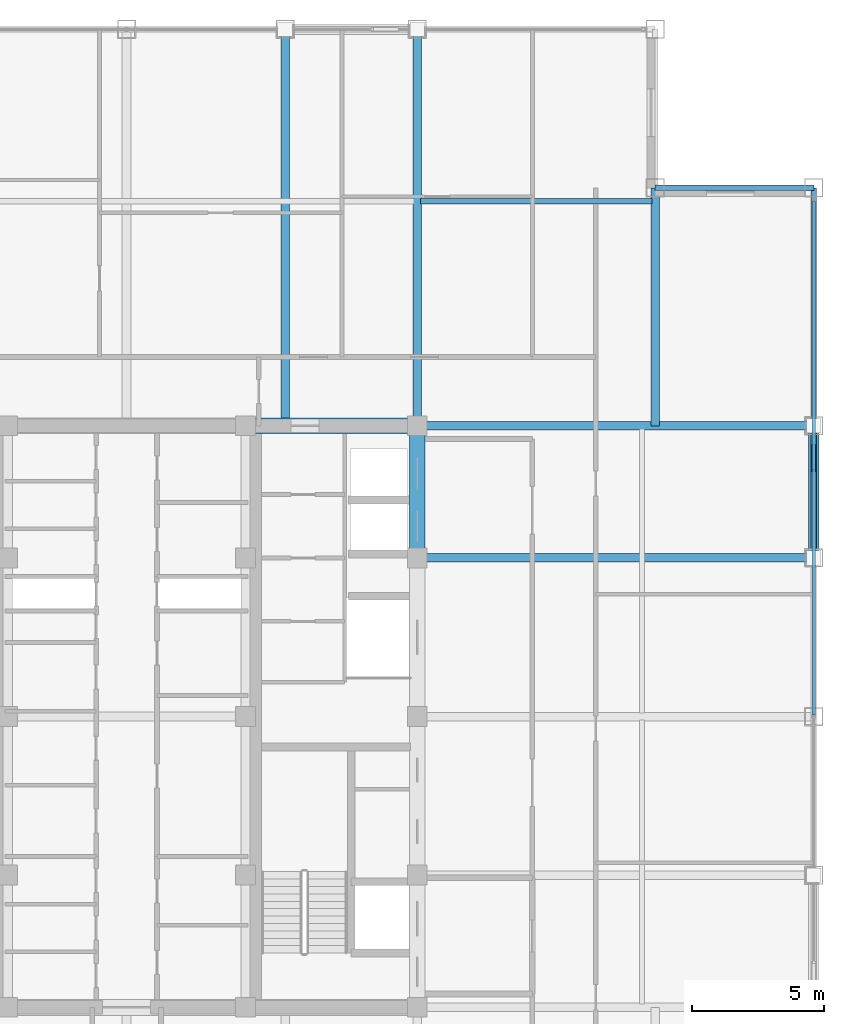
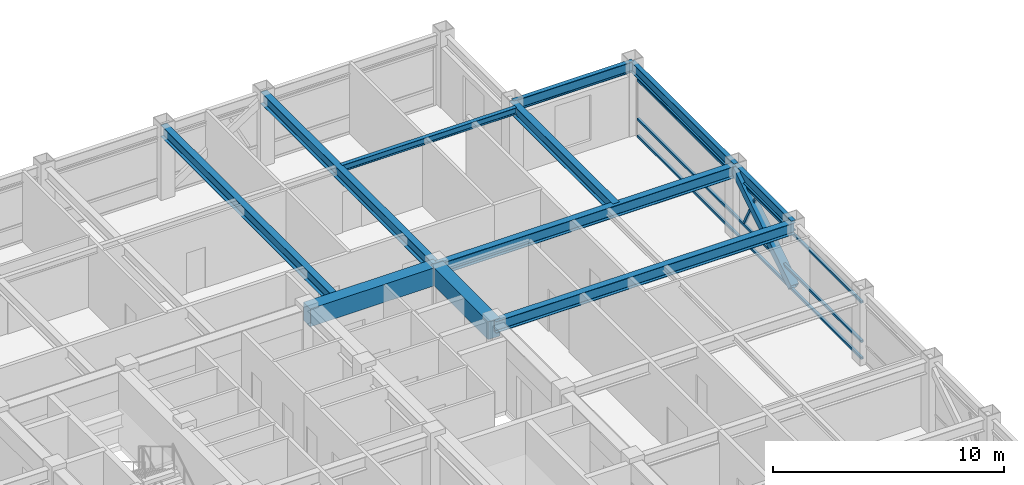
# One storey, part 19 of 29: 11 beams, 5 members, 1 element without a shape of its own.
"""IFC4 building model written with IfcOpenShell, lengths in metres."""

import ifcopenshell
import ifcopenshell.guid

model = None  # the IFC model being written
_history = None  # IfcOwnerHistory: only IFC2X3 demands one
_inside = {}  # id of a spatial element -> (the spatial element, [elements in it])
_under = {}  # id of a project, library or spatial element -> (it, [spatial elements below it])
_declared = {}  # id of a project -> (the project, [libraries it declares])
_typed = {}  # id of a type object -> (the type object, [elements of that type])
_made_of = {}  # id of a material, layer set ... -> (it, [elements and type objects made of it])


def new_model(schema):
    """Start an empty IFC model of exactly this schema.

    Asked for "IFC4X3", IfcOpenShell would pick the latest addendum, in which some entities
    have other attributes; the version numbers below select the first issue.
    IFC2X3 requires an IfcOwnerHistory on every rooted entity: one is made here for all.
    """
    global model, _history
    if schema == "IFC4X3":
        model = ifcopenshell.file(schema_version=(4, 3, 0, 0))
    else:
        model = ifcopenshell.file(schema=schema)
    _inside.clear()
    _under.clear()
    _declared.clear()
    _typed.clear()
    _made_of.clear()
    _history = None
    if model.schema == "IFC2X3":
        org = make("IfcOrganization", Name="unknown")
        user = make(
            "IfcPersonAndOrganization",
            ThePerson=make("IfcPerson", FamilyName="unknown"),
            TheOrganization=org,
        )
        app = make(
            "IfcApplication",
            ApplicationDeveloper=org,
            Version="unknown",
            ApplicationFullName="unknown",
            ApplicationIdentifier="unknown",
        )
        _history = make(
            "IfcOwnerHistory",
            OwningUser=user,
            OwningApplication=app,
            ChangeAction="ADDED",
            CreationDate=0,
        )
    return model


def make(cls, **values):
    """One entity of the class cls with the attributes given. An attribute that is None is left unset."""
    return model.create_entity(
        cls, **{name: value for name, value in values.items() if value is not None}
    )


def rooted(cls, **values):
    """An entity with a GlobalId (a new one), such as an element, a storey or a relation."""
    return make(cls, GlobalId=ifcopenshell.guid.new(), OwnerHistory=_history, **values)


def si_unit(unit_type, name, prefix=None):
    """IfcSIUnit, for example si_unit("LENGTHUNIT", "METRE", prefix="MILLI")."""
    return make("IfcSIUnit", UnitType=unit_type, Prefix=prefix, Name=name)


def assignment(units):
    """IfcUnitAssignment: the units of a project."""
    return None if units is None else make("IfcUnitAssignment", Units=units)


def point(xyz):
    """IfcCartesianPoint."""
    return None if xyz is None else make("IfcCartesianPoint", Coordinates=xyz)


def direction(xyz):
    """IfcDirection."""
    return None if xyz is None else make("IfcDirection", DirectionRatios=xyz)


def frame(location, z_axis=None, x_axis=None):
    """IfcAxis2Placement3D, a coordinate frame: its origin and axes. An axis left out is left unset."""
    return make(
        "IfcAxis2Placement3D",
        Location=point(location),
        Axis=direction(z_axis),
        RefDirection=direction(x_axis),
    )


def frame_2d(location, x_axis=None):
    """IfcAxis2Placement2D, a coordinate frame in the plane: its origin and x axis."""
    return make(
        "IfcAxis2Placement2D", Location=point(location), RefDirection=direction(x_axis)
    )


def origin():
    """The frame at (0, 0, 0) with its axes left unset."""
    return frame((0.0, 0.0, 0.0))


def origin_2d():
    """The frame at (0, 0) in the plane with its x axis left unset."""
    return frame_2d((0.0, 0.0))


def place(relative_to, where):
    """IfcLocalPlacement: puts the frame where relative to a parent placement (None: the world)."""
    return make(
        "IfcLocalPlacement", PlacementRelTo=relative_to, RelativePlacement=where
    )


def context(
    kind, dimensions, precision=None, world=None, true_north=None, identifier=None
):
    """IfcGeometricRepresentationContext, for example the 3D "Model" context."""
    return make(
        "IfcGeometricRepresentationContext",
        ContextIdentifier=identifier,
        ContextType=kind,
        CoordinateSpaceDimension=dimensions,
        Precision=precision,
        WorldCoordinateSystem=world,
        TrueNorth=true_north,
    )


def subcontext(parent, identifier, kind, view, scale=None):
    """IfcGeometricRepresentationSubContext, for example "Body" below "Model"."""
    return make(
        "IfcGeometricRepresentationSubContext",
        ContextIdentifier=identifier,
        ContextType=kind,
        ParentContext=parent,
        TargetScale=scale,
        TargetView=view,
    )


def project(units=None, contexts=None):
    """IfcProject with its units and contexts."""
    return rooted(
        "IfcProject",
        Name="project",
        RepresentationContexts=contexts,
        UnitsInContext=assignment(units),
    )


def spatial(cls, under=None, at=None, **own):
    """A site, building, storey or space (cls), placed at a placement, below another one or the project."""
    s = rooted(cls, ObjectPlacement=at, **own)
    if under is not None:
        _under.setdefault(under.id(), (under, []))[1].append(s)
    return s


def profile(cls, at=None, kind="AREA", **sizes):
    """A parametric profile (cls). Its sizes go by their IFC names, for example OverallWidth=200.0."""
    return make(cls, ProfileType=kind, Position=at, **sizes)


def rectangle(**sizes):
    """IfcRectangleProfileDef."""
    return profile("IfcRectangleProfileDef", **sizes)


def hollow_rectangle(**sizes):
    """IfcRectangleHollowProfileDef."""
    return profile("IfcRectangleHollowProfileDef", **sizes)


def i_section(**sizes):
    """IfcIShapeProfileDef."""
    return profile("IfcIShapeProfileDef", **sizes)


def extrude(swept, where, along, depth):
    """IfcExtrudedAreaSolid: the profile swept, set in the frame where, extruded along a direction by depth."""
    return make(
        "IfcExtrudedAreaSolid",
        SweptArea=swept,
        Position=where,
        ExtrudedDirection=direction(along),
        Depth=depth,
    )


def shape(context_of_items, identifier, shape_type, items):
    """IfcShapeRepresentation: the items that make up one representation, for example the "Body"."""
    return make(
        "IfcShapeRepresentation",
        ContextOfItems=context_of_items,
        RepresentationIdentifier=identifier,
        RepresentationType=shape_type,
        Items=items,
    )


def source(mapping_origin, context_of_items, identifier, shape_type, items):
    """IfcRepresentationMap: a shape defined once, which mapped items show again and again."""
    return make(
        "IfcRepresentationMap",
        MappingOrigin=mapping_origin,
        MappedRepresentation=shape(context_of_items, identifier, shape_type, items),
    )


def transform(
    local_origin,
    x_axis=None,
    y_axis=None,
    z_axis=None,
    scale=None,
    scale2=None,
    scale3=None,
    uniform=True,
):
    """IfcCartesianTransformationOperator3D, or its non-uniform kind. x_axis, y_axis, z_axis: its Axis1, 2, 3."""
    if uniform:
        return make(
            "IfcCartesianTransformationOperator3D",
            Axis1=direction(x_axis),
            Axis2=direction(y_axis),
            LocalOrigin=point(local_origin),
            Scale=scale,
            Axis3=direction(z_axis),
        )
    return make(
        "IfcCartesianTransformationOperator3DnonUniform",
        Axis1=direction(x_axis),
        Axis2=direction(y_axis),
        LocalOrigin=point(local_origin),
        Scale=scale,
        Axis3=direction(z_axis),
        Scale2=scale2,
        Scale3=scale3,
    )


def mapped(mapping_source, mapping_target):
    """IfcMappedItem: shows the shape of a source again, moved by a transform."""
    return make(
        "IfcMappedItem", MappingSource=mapping_source, MappingTarget=mapping_target
    )


def material(Name=None, Category=None):
    """IfcMaterial."""
    return make("IfcMaterial", Name=Name, Category=Category)


def material_profile(
    of_material, cross_section, Name=None, Category=None, Priority=None
):
    """IfcMaterialProfile: a cross section and its material."""
    return make(
        "IfcMaterialProfile",
        Name=Name,
        Material=of_material,
        Profile=cross_section,
        Priority=Priority,
        Category=Category,
    )


def profile_set(profiles, Name=None, composite=None):
    """IfcMaterialProfileSet."""
    return make(
        "IfcMaterialProfileSet",
        Name=Name,
        MaterialProfiles=profiles,
        CompositeProfile=composite,
    )


def made_of(thing, what):
    """Note that an element or type object is made of a material, layer set ...; save() writes the relation."""
    if what is not None:
        _made_of.setdefault(what.id(), (what, []))[1].append(thing)
    return thing


def type_object(cls, material=None, **own):
    """A type object (cls), such as IfcWallType, which elements share."""
    return made_of(rooted(cls, **own), material)


def element(
    cls,
    number,
    at=None,
    inside=None,
    cuts=None,
    type_object=None,
    material=None,
    context=None,
    identifier="Body",
    shape_type=None,
    held_by="IfcProductDefinitionShape",
    body=None,
    shapes=None,
    **own,
):
    """One element of the class cls, such as IfcWall. Its Tag is "e" and its number.

    at: its placement. inside: the storey or other place that contains it. cuts: it is an
    opening in that element (IfcRelVoidsElement). A single representation is given by context,
    identifier, shape_type and body (its items); several are given by shapes. held_by: the class
    of the entity that holds the representations. save() writes the other relations.
    """
    e = rooted(cls, Tag="e%d" % number, ObjectPlacement=at, **own)
    if body is not None:
        shapes = [shape(context, identifier, shape_type, body)]
    if shapes is not None:
        e.Representation = make(held_by, Representations=shapes)
    if inside is not None:
        _inside.setdefault(inside.id(), (inside, []))[1].append(e)
    if cuts is not None:
        rooted(
            "IfcRelVoidsElement", RelatingBuildingElement=cuts, RelatedOpeningElement=e
        )
    if type_object is not None:
        _typed.setdefault(type_object.id(), (type_object, []))[1].append(e)
    return made_of(e, material)


def aggregate(whole, parts):
    """IfcRelAggregates: a whole, such as a stair, and the parts it consists of."""
    return rooted("IfcRelAggregates", RelatingObject=whole, RelatedObjects=parts)


def save(model, path):
    """Write the relations noted so far, then the file.

    IfcRelAggregates (storeys below a building ...), IfcRelContainedInSpatialStructure (elements
    in a storey), IfcRelDefinesByType, IfcRelAssociatesMaterial and IfcRelDeclares: one each for
    every whole, place, type object, material and project.
    """
    for whole, parts in _under.values():
        aggregate(whole, parts)
    for where, things in _inside.values():
        rooted(
            "IfcRelContainedInSpatialStructure",
            RelatedElements=things,
            RelatingStructure=where,
        )
    for kind, things in _typed.values():
        rooted("IfcRelDefinesByType", RelatedObjects=things, RelatingType=kind)
    for what, things in _made_of.values():
        rooted("IfcRelAssociatesMaterial", RelatedObjects=things, RelatingMaterial=what)
    for by, libraries in _declared.values():
        rooted("IfcRelDeclares", RelatingContext=by, RelatedDefinitions=libraries)
    model.write(path)


model = new_model("IFC4")

# Units and contexts
model_context = context("Model", 3, precision=1e-05, world=origin(), true_north=direction((0.0, 1.0)))
body_context = subcontext(model_context, "Body", "Model", "MODEL_VIEW")
ifc_project = project(units=[si_unit("LENGTHUNIT", "METRE"), si_unit("AREAUNIT", "SQUARE_METRE"), si_unit("VOLUMEUNIT", "CUBIC_METRE"), si_unit("PLANEANGLEUNIT", "RADIAN"), si_unit("MASSUNIT", "GRAM", prefix="KILO")], contexts=[model_context])

# Site, building, storey
site_placement = place(None, origin())
site = spatial("IfcSite", under=ifc_project, at=site_placement, CompositionType="ELEMENT")
building_placement = place(site_placement, origin())
building = spatial("IfcBuilding", under=site, at=building_placement, Name="Khorayat Bourse Tower", CompositionType="ELEMENT")
storey_placement = place(building_placement, frame((0.0, 0.0, 366.300048828125)))
storey = spatial("IfcBuildingStorey", under=building, at=storey_placement, Name="L87", CompositionType="ELEMENT", Elevation=366.300048828125)

# Beams
ifc_material_1 = material(Name="Concrete C60/75", Category="concrete")
ifc_material_profile_1 = material_profile(ifc_material_1, rectangle(XDim=0.60009765625, YDim=0.949951171875, at=origin_2d()), Name="RC 600x950")
ifc_profile_set_1 = profile_set([ifc_material_profile_1], Name="Concrete C60/75")
beam_type_1 = type_object("IfcBeamType", Name="BM-COUP-950", PredefinedType="BEAM", material=ifc_profile_set_1)
shared_shape_1 = source(origin(), body_context, "Body", "SweptSolid", [
    extrude(rectangle(XDim=0.60009765625, YDim=0.949951171875, at=origin_2d()), origin(), (0.0, 0.0, 1.0), 5.0),
])
beam_1_placement = place(storey_placement, frame((11.0, 6.0, 3.264892578125), z_axis=(0.0, 1.0, 0.0), x_axis=(-1.0, 0.0, 0.0)))
element("IfcBeam", 1, at=beam_1_placement, inside=storey, type_object=beam_type_1, Name="L87 BM-COUP-950 BM-L87-CRX-16", PredefinedType="BEAM", context=body_context, shape_type="MappedRepresentation", body=[
    mapped(shared_shape_1, transform((0.0, 0.0, 0.0), scale=1.0)),
])
shared_shape_2 = source(origin(), body_context, "Body", "SweptSolid", [
    extrude(rectangle(XDim=0.60009765625, YDim=0.949951171875, at=origin_2d()), origin(), (0.0, 0.0, 1.0), 6.5),
])
beam_2_placement = place(storey_placement, frame((4.5, 11.0, 3.264892578125), z_axis=(1.0, 0.0, 0.0), x_axis=(0.0, 1.0, 0.0)))
element("IfcBeam", 2, at=beam_2_placement, inside=storey, type_object=beam_type_1, Name="L87 BM-COUP-950 BM-L87-CRY-22", PredefinedType="BEAM", context=body_context, shape_type="MappedRepresentation", body=[
    mapped(shared_shape_2, transform((0.0, 0.0, 0.0), scale=1.0)),
])
ifc_material_2 = material(Name="Steel ASTM A992 Grade 50", Category="steel")
ifc_material_profile_2 = material_profile(ifc_material_2, i_section(OverallWidth=0.214111328125, OverallDepth=0.549072265625, WebThickness=0.0146484375, FlangeThickness=0.023681640625, FilletRadius=0.013916015625, at=origin_2d()), Name="W530X138")
ifc_profile_set_2 = profile_set([ifc_material_profile_2], Name="Steel ASTM A992 Grade 50")
beam_type_2 = type_object("IfcBeamType", Name="BM-SPAN-530", PredefinedType="SPANDREL", material=ifc_profile_set_2)
shared_shape_3 = source(origin(), body_context, "Body", "SweptSolid", [
    extrude(i_section(OverallWidth=0.214111328125, OverallDepth=0.549072265625, WebThickness=0.0146484375, FlangeThickness=0.023681640625, FilletRadius=0.013916015625, at=origin_2d()), origin(), (0.0, 0.0, 1.0), 9.0),
])
beam_3_placement = place(storey_placement, frame((26.0, 11.0, 3.46533203125), z_axis=(0.0, 1.0, 0.0), x_axis=(-1.0, 0.0, 0.0)))
element("IfcBeam", 3, at=beam_3_placement, inside=storey, type_object=beam_type_2, Name="L87 BM-SPAN-530 BM-L87-SPN-037", PredefinedType="SPANDREL", context=body_context, shape_type="MappedRepresentation", body=[
    mapped(shared_shape_3, transform((0.0, 0.0, 0.0), scale=1.0)),
])
shared_shape_4 = source(origin(), body_context, "Body", "SweptSolid", [
    extrude(i_section(OverallWidth=0.214111328125, OverallDepth=0.549072265625, WebThickness=0.0146484375, FlangeThickness=0.023681640625, FilletRadius=0.013916015625, at=origin_2d()), origin(), (0.0, 0.0, 1.0), 5.0),
])
beam_4_placement = place(storey_placement, frame((26.0, 6.0, 3.46533203125), z_axis=(0.0, 1.0, 0.0), x_axis=(-1.0, 0.0, 0.0)))
element("IfcBeam", 4, at=beam_4_placement, inside=storey, type_object=beam_type_2, Name="L87 BM-SPAN-530 BM-L87-SPN-036", PredefinedType="SPANDREL", context=body_context, shape_type="MappedRepresentation", body=[
    mapped(shared_shape_4, transform((0.0, 0.0, 0.0), scale=1.0)),
])
shared_shape_5 = source(origin(), body_context, "Body", "SweptSolid", [
    extrude(i_section(OverallWidth=0.214111328125, OverallDepth=0.549072265625, WebThickness=0.0146484375, FlangeThickness=0.023681640625, FilletRadius=0.013916015625, at=origin_2d()), origin(), (0.0, 0.0, 1.0), 6.0),
])
beam_5_placement = place(storey_placement, frame((20.0, 20.0, 3.46533203125), z_axis=(1.0, 0.0, 0.0), x_axis=(0.0, 1.0, 0.0)))
element("IfcBeam", 5, at=beam_5_placement, inside=storey, type_object=beam_type_2, Name="L87 BM-SPAN-530 BM-L87-SPN-038", PredefinedType="SPANDREL", context=body_context, shape_type="MappedRepresentation", body=[
    mapped(shared_shape_5, transform((0.0, 0.0, 0.0), scale=1.0)),
])
ifc_material_profile_3 = material_profile(ifc_material_2, i_section(OverallWidth=0.324951171875, OverallDepth=0.615966796875, WebThickness=0.013916015625, FlangeThickness=0.021484375, FilletRadius=0.01611328125, at=origin_2d()), Name="W610X174")
ifc_profile_set_3 = profile_set([ifc_material_profile_3], Name="Steel ASTM A992 Grade 50")
beam_type_3 = type_object("IfcBeamType", Name="BM-GIRD-610", PredefinedType="BEAM", material=ifc_profile_set_3)
shared_shape_6 = source(origin(), body_context, "Body", "SweptSolid", [
    extrude(i_section(OverallWidth=0.324951171875, OverallDepth=0.615966796875, WebThickness=0.013916015625, FlangeThickness=0.021484375, FilletRadius=0.01611328125, at=origin_2d()), origin(), (0.0, 0.0, 1.0), 15.0),
])
for number, where, z_axis, x_axis, name in (
    (6, (6.0, 11.0, 3.431884765625), (0.0, 1.0, 0.0), (-1.0, 0.0, 0.0), "L87 BM-GIRD-610 BM-L87-RADY-062"),
    (7, (11.0, 11.0, 3.431884765625), (0.0, 1.0, 0.0), (-1.0, 0.0, 0.0), "L87 BM-GIRD-610 BM-L87-RADY-064"),
    (8, (11.0, 6.0, 3.431884765625), (1.0, 0.0, 0.0), (0.0, 1.0, 0.0), "L87 BM-GIRD-610 BM-L87-RADX-072"),
    (9, (11.0, 11.0, 3.431884765625), (1.0, 0.0, 0.0), (0.0, 1.0, 0.0), "L87 BM-GIRD-610 BM-L87-RADX-074"),
):
    element("IfcBeam", number, at=place(storey_placement, frame(where, z_axis=z_axis, x_axis=x_axis)), inside=storey, type_object=beam_type_3, Name=name, PredefinedType="BEAM", context=body_context, shape_type="MappedRepresentation", body=[
        mapped(shared_shape_6, transform((0.0, 0.0, 0.0), scale=1.0)),
    ])
shared_shape_7 = source(origin(), body_context, "Body", "SweptSolid", [
    extrude(i_section(OverallWidth=0.324951171875, OverallDepth=0.615966796875, WebThickness=0.013916015625, FlangeThickness=0.021484375, FilletRadius=0.01611328125, at=origin_2d()), origin(), (0.0, 0.0, 1.0), 9.0),
])
beam_6_placement = place(storey_placement, frame((20.0, 11.0, 3.431884765625), z_axis=(0.0, 1.0, 0.0), x_axis=(-1.0, 0.0, 0.0)))
element("IfcBeam", 10, at=beam_6_placement, inside=storey, type_object=beam_type_3, Name="L87 BM-GIRD-610 BM-L87-CNRY-079", PredefinedType="BEAM", context=body_context, shape_type="MappedRepresentation", body=[
    mapped(shared_shape_7, transform((0.0, 0.0, 0.0), scale=1.0)),
])
ifc_material_profile_4 = material_profile(ifc_material_2, i_section(OverallWidth=0.202880859375, OverallDepth=0.346923828125, WebThickness=0.0078125, FlangeThickness=0.013427734375, FilletRadius=0.010009765625, at=origin_2d()), Name="W360X64")
ifc_profile_set_4 = profile_set([ifc_material_profile_4], Name="Steel ASTM A992 Grade 50")
beam_type_4 = type_object("IfcBeamType", Name="BM-JOIST-360", PredefinedType="JOIST", material=ifc_profile_set_4)
shared_shape_8 = source(origin(), body_context, "Body", "SweptSolid", [
    extrude(i_section(OverallWidth=0.202880859375, OverallDepth=0.346923828125, WebThickness=0.0078125, FlangeThickness=0.013427734375, FilletRadius=0.010009765625, at=origin_2d()), origin(), (0.0, 0.0, 1.0), 8.740234375),
])
beam_7_placement = place(storey_placement, frame((11.1298828125, 19.5, 3.56640625), z_axis=(1.0, 0.0, 0.0), x_axis=(0.0, 1.0, 0.0)))
element("IfcBeam", 11, at=beam_7_placement, inside=storey, type_object=beam_type_4, Name="L87 BM-JOIST-360 BM-L87-JSTX-085", PredefinedType="JOIST", context=body_context, shape_type="MappedRepresentation", body=[
    mapped(shared_shape_8, transform((0.0, 0.0, 0.0), scale=1.0)),
])

# Member
ifc_material_3 = material(Name="Steel EN 10025-4 S460M", Category="steel")
ifc_material_profile_5 = material_profile(ifc_material_3, hollow_rectangle(XDim=0.39990234375, YDim=0.39990234375, WallThickness=0.02197265625, at=origin_2d()), Name="HSS 400x400x22")
ifc_profile_set_5 = profile_set([ifc_material_profile_5], Name="Steel EN 10025-4 S460M")
member_type_1 = type_object("IfcMemberType", Name="MBR-TUBE-400", PredefinedType="BRACE", material=ifc_profile_set_5)
shared_shape_9 = source(origin(), body_context, "Body", "SweptSolid", [
    extrude(hollow_rectangle(XDim=0.39990234375, YDim=0.39990234375, WallThickness=0.02197265625, at=origin_2d()), origin(), (0.0, 0.0, 1.0), 5.9580078125),
])
member_1_placement = place(storey_placement, frame((26.0, 6.0, 0.25), z_axis=(0.0, 0.839210474455, 0.543806748364), x_axis=(-1.0, 0.0, 0.0)))
element("IfcMember", 12, at=member_1_placement, inside=storey, type_object=member_type_1, Name="L87 Perimeter Tube Brace 08", PredefinedType="BRACE", context=body_context, shape_type="MappedRepresentation", body=[
    mapped(shared_shape_9, transform((0.0, 0.0, 0.0), scale=1.0)),
])

# Curtain wall, members
ifc_material_4 = material(Name="Aluminium EN AW-6063 T6", Category="aluminium")
curtain_wall_type = type_object("IfcCurtainWallType", Name="CW-SYS-04", PredefinedType="NOTDEFINED", material=ifc_material_4)
curtain_wall_placement = place(storey_placement, origin())
curtain_wall = element("IfcCurtainWall", 13, at=curtain_wall_placement, inside=storey, type_object=curtain_wall_type, Name="L87 Curtain Wall CW-L87-E1", PredefinedType="NOTDEFINED")
ifc_material_profile_6 = material_profile(ifc_material_4, hollow_rectangle(XDim=0.1201171875, YDim=0.1201171875, WallThickness=0.0048828125, at=origin_2d()), Name="ALU 120x120x5")
ifc_profile_set_6 = profile_set([ifc_material_profile_6], Name="Aluminium EN AW-6063 T6")
member_type_2 = type_object("IfcMemberType", Name="CWM-DIAG-120", PredefinedType="MULLION", material=ifc_profile_set_6)
shared_shape_10 = source(origin(), body_context, "Body", "SweptSolid", [
    extrude(hollow_rectangle(XDim=0.1201171875, YDim=0.1201171875, WallThickness=0.0048828125, at=origin_2d()), origin(), (0.0, 0.0, 1.0), 2.0341796875),
])
member_2_placement = place(storey_placement, frame((26.0, 10.24365234375, 1.08984375), z_axis=(0.0, -0.465696964104, 0.884944256789), x_axis=(1.0, 0.0, 0.0)))
member_2 = element("IfcMember", 14, at=member_2_placement, type_object=member_type_2, Name="CW-L87-E1 Faceted Diagonal Mullion 2", PredefinedType="MULLION", context=body_context, shape_type="MappedRepresentation", body=[
    mapped(shared_shape_10, transform((0.0, 0.0, 0.0), scale=1.0)),
])
ifc_material_profile_7 = material_profile(ifc_material_4, hollow_rectangle(XDim=0.1201171875, YDim=0.1201171875, WallThickness=0.0048828125, at=origin_2d()), Name="ALU 120x120x5")
ifc_profile_set_7 = profile_set([ifc_material_profile_7], Name="Aluminium EN AW-6063 T6")
member_type_3 = type_object("IfcMemberType", Name="CWT-HORZ-120", PredefinedType="USERDEFINED", material=ifc_profile_set_7)
shared_shape_11 = source(origin(), body_context, "Body", "SweptSolid", [
    extrude(hollow_rectangle(XDim=0.1201171875, YDim=0.1201171875, WallThickness=0.0048828125, at=origin_2d()), origin(), (0.0, 0.0, 1.0), 19.419921875),
])
member_3_placement = place(storey_placement, frame((26.0, 0.06005859375, 0.06005859375), z_axis=(0.0, 1.0, 0.0), x_axis=(-1.0, 0.0, 0.0)))
member_3 = element("IfcMember", 15, at=member_3_placement, type_object=member_type_3, Name="CW-L87-E1 Horizontal Transom 2-1", ObjectType="TRANSOM", PredefinedType="USERDEFINED", context=body_context, shape_type="MappedRepresentation", body=[
    mapped(shared_shape_11, transform((0.0, 0.0, 0.0), scale=1.0)),
])
member_4_placement = place(storey_placement, frame((26.0, 0.06005859375, 0.949951171875), z_axis=(0.0, 1.0, 0.0), x_axis=(-1.0, 0.0, 0.0)))
member_4 = element("IfcMember", 16, at=member_4_placement, type_object=member_type_3, Name="CW-L87-E1 Horizontal Transom 2-2", ObjectType="TRANSOM", PredefinedType="USERDEFINED", context=body_context, shape_type="MappedRepresentation", body=[
    mapped(shared_shape_11, transform((0.0, 0.0, 0.0), scale=1.0)),
])
member_5_placement = place(storey_placement, frame((26.0, 0.06005859375, 3.030029296875), z_axis=(0.0, 1.0, 0.0), x_axis=(-1.0, 0.0, 0.0)))
member_5 = element("IfcMember", 17, at=member_5_placement, type_object=member_type_3, Name="CW-L87-E1 Horizontal Transom 2-3", ObjectType="TRANSOM", PredefinedType="USERDEFINED", context=body_context, shape_type="MappedRepresentation", body=[
    mapped(shared_shape_11, transform((0.0, 0.0, 0.0), scale=1.0)),
])
aggregate(curtain_wall, [member_3, member_4, member_5, member_2])

save(model, "model.ifc")
